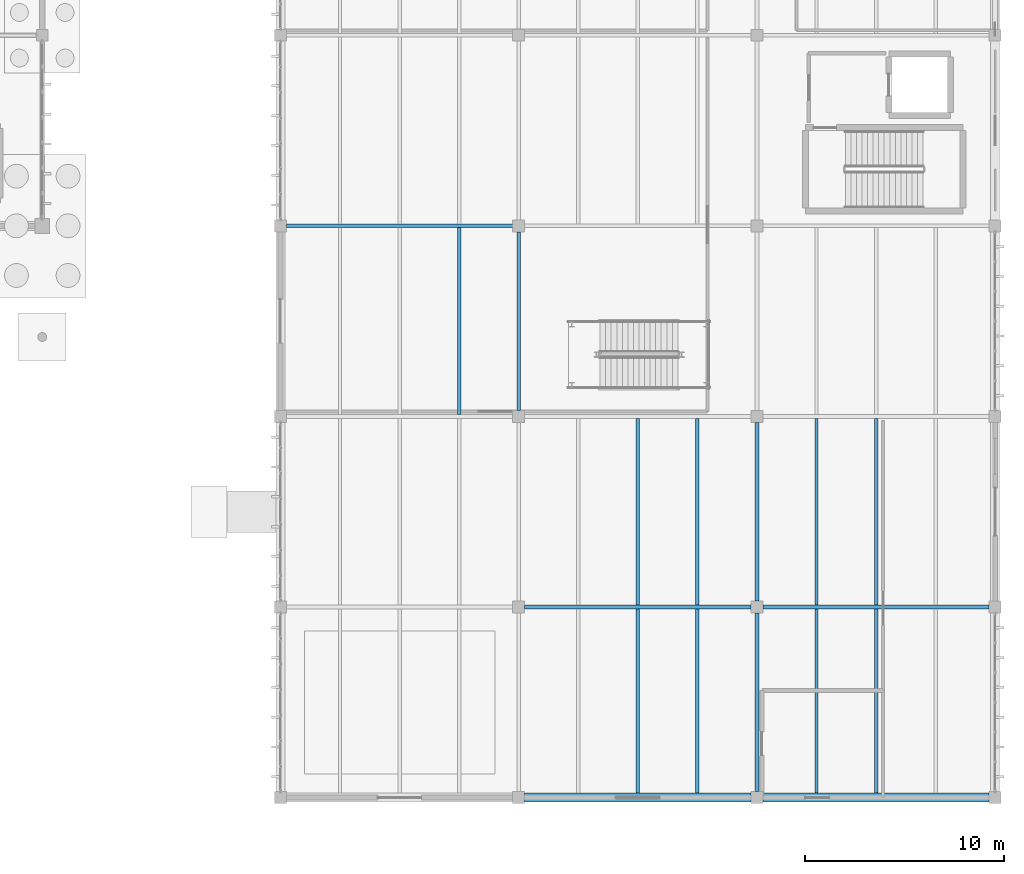
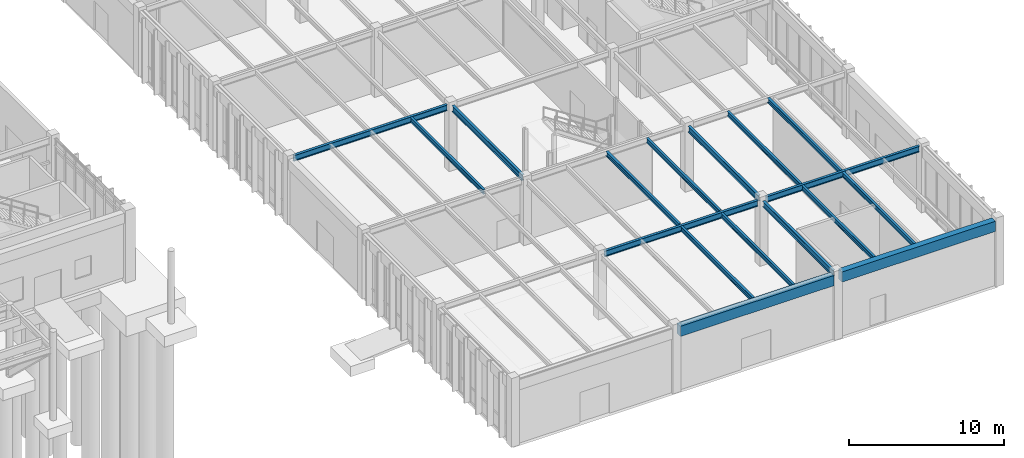
# One storey, part 93 of 188: 17 beams.
"""IFC4 building model written with IfcOpenShell, lengths in metres."""

from ifc_helpers import new_model, si_unit, direction, frame, origin, origin_2d, place, context, subcontext, project, spatial, rectangle, i_section, extrude, material, material_profile, profile_set, type_object, element, save


model = new_model("IFC4")

# Units and contexts
model_context = context("Model", 3, precision=1e-05, world=origin(), true_north=direction((0.0, 1.0)))
body_context = subcontext(model_context, "Body", "Model", "MODEL_VIEW")
ifc_project = project(units=[si_unit("LENGTHUNIT", "METRE"), si_unit("AREAUNIT", "SQUARE_METRE"), si_unit("VOLUMEUNIT", "CUBIC_METRE"), si_unit("PLANEANGLEUNIT", "RADIAN"), si_unit("MASSUNIT", "GRAM", prefix="KILO")], contexts=[model_context])

# Site, building, storey
site_placement = place(None, origin())
site = spatial("IfcSite", under=ifc_project, at=site_placement, CompositionType="ELEMENT")
building_placement = place(site_placement, origin())
building = spatial("IfcBuilding", under=site, at=building_placement, Name="Pandanus Reach Market Hall", CompositionType="ELEMENT")
storey_placement = place(building_placement, origin())
storey = spatial("IfcBuildingStorey", under=building, at=storey_placement, Name="L00", CompositionType="ELEMENT", Elevation=0.0)

# Beams
ifc_material_1 = material(Name="Concrete N40 (40 MPa)", Category="concrete")
ifc_material_profile_1 = material_profile(ifc_material_1, rectangle(XDim=0.449951171875, YDim=0.800048828125, at=origin_2d()), Name="RC450x800", Category="LoadBearing")
ifc_profile_set_1 = profile_set([ifc_material_profile_1], Name="Concrete N40 (40 MPa)")
beam_type_1 = type_object("IfcBeamType", Name="BM-RC450-E", PredefinedType="SPANDREL", material=ifc_profile_set_1)
for number, where, z_axis, x_axis, name in (
    (1, (156.298095703125, 0.0, 4.659912109375), (1.0, 0.0, 0.0), (0.0, 1.0, 0.0), "Framing beam BM-RC450-E L00.156"),
    (2, (168.298095703125, 0.0, 4.72509765625), (1.0, 0.0, 0.0), (0.0, 1.0, 0.0), "Framing beam BM-RC450-E L00.157"),
):
    element("IfcBeam", number, at=place(storey_placement, frame(where, z_axis=z_axis, x_axis=x_axis)), inside=storey, type_object=beam_type_1, Name=name, PredefinedType="SPANDREL", context=body_context, shape_type="SweptSolid", body=[
        extrude(rectangle(XDim=0.449951171875, YDim=0.800048828125, at=origin_2d()), origin(), (0.0, 0.0, 1.0), 11.40380859375),
    ])
ifc_material_2 = material(Name="Steel Grade 350 (350 MPa)", Category="steel")
ifc_material_profile_2 = material_profile(ifc_material_2, i_section(OverallWidth=0.19091796875, OverallDepth=0.4599609375, WebThickness=0.010009765625, FlangeThickness=0.01611328125, at=origin_2d()), Name="460UB82.1", Category="LoadBearing")
ifc_profile_set_2 = profile_set([ifc_material_profile_2], Name="Steel Grade 350 (350 MPa)")
beam_type_2 = type_object("IfcBeamType", Name="BM-UB460H-I", PredefinedType="BEAM", material=ifc_profile_set_2)
for number, where, z_axis, x_axis, name in (
    (3, (156.298095703125, 9.60009765625, 4.82958984375), (1.0, 0.0, 0.0), (0.0, 1.0, 0.0), "Framing beam BM-UB460H-I L00.159"),
    (4, (168.298095703125, 9.60009765625, 4.89453125), (1.0, 0.0, 0.0), (0.0, 1.0, 0.0), "Framing beam BM-UB460H-I L00.160"),
    (5, (144.298095703125, 28.800048828125, 4.89453125), (1.0, 0.0, 0.0), (0.0, 1.0, 0.0), "Framing beam BM-UB460H-I L00.164"),
):
    element("IfcBeam", number, at=place(storey_placement, frame(where, z_axis=z_axis, x_axis=x_axis)), inside=storey, type_object=beam_type_2, Name=name, PredefinedType="BEAM", context=body_context, shape_type="SweptSolid", body=[
        extrude(i_section(OverallWidth=0.19091796875, OverallDepth=0.4599609375, WebThickness=0.010009765625, FlangeThickness=0.01611328125, at=origin_2d()), origin(), (0.0, 0.0, 1.0), 11.40380859375),
    ])
for number, where, z_axis, x_axis, name in (
    (6, (156.0, 19.498046875, 4.89453125), (0.0, 1.0, 0.0), (-1.0, 0.0, 0.0), "Framing beam BM-UB460H-I L00.200"),
    (7, (168.0, 0.298095703125, 4.82958984375), (0.0, 1.0, 0.0), (-1.0, 0.0, 0.0), "Framing beam BM-UB460H-I L00.208"),
):
    element("IfcBeam", number, at=place(storey_placement, frame(where, z_axis=z_axis, x_axis=x_axis)), inside=storey, type_object=beam_type_2, Name=name, PredefinedType="BEAM", context=body_context, shape_type="SweptSolid", body=[
        extrude(i_section(OverallWidth=0.19091796875, OverallDepth=0.4599609375, WebThickness=0.010009765625, FlangeThickness=0.01611328125, at=origin_2d()), origin(), (0.0, 0.0, 1.0), 9.00390625),
    ])
beam_1_placement = place(storey_placement, frame((168.0, 9.89794921875, 4.89453125), z_axis=(0.0, 1.0, 0.0), x_axis=(-1.0, 0.0, 0.0)))
element("IfcBeam", 8, at=beam_1_placement, inside=storey, type_object=beam_type_2, Name="Framing beam BM-UB460H-I L00.209", PredefinedType="BEAM", context=body_context, shape_type="SweptSolid", body=[
    extrude(i_section(OverallWidth=0.19091796875, OverallDepth=0.4599609375, WebThickness=0.010009765625, FlangeThickness=0.01611328125, at=origin_2d()), origin(), (0.0, 0.0, 1.0), 9.004150390625),
])
ifc_material_profile_3 = material_profile(ifc_material_2, i_section(OverallWidth=0.172119140625, OverallDepth=0.35888671875, WebThickness=0.008056640625, FlangeThickness=0.012939453125, at=origin_2d()), Name="360UB56.7", Category="LoadBearing")
ifc_profile_set_3 = profile_set([ifc_material_profile_3], Name="Steel Grade 350 (350 MPa)")
beam_type_3 = type_object("IfcBeamType", Name="JS-UB360H-I", PredefinedType="JOIST", material=ifc_profile_set_3)
beam_2_placement = place(storey_placement, frame((153.0, 19.29345703125, 4.945068359375), z_axis=(0.0, 1.0, 0.0), x_axis=(-1.0, 0.0, 0.0)))
element("IfcBeam", 9, at=beam_2_placement, inside=storey, type_object=beam_type_3, Name="Secondary joist JS-UB360H-I L00.236", PredefinedType="JOIST", context=body_context, shape_type="SweptSolid", body=[
    extrude(i_section(OverallWidth=0.172119140625, OverallDepth=0.35888671875, WebThickness=0.008056640625, FlangeThickness=0.012939453125, at=origin_2d()), origin(), (0.0, 0.0, 1.0), 9.4130859375),
])
for number, where, z_axis, x_axis, name in (
    (10, (162.0, 0.222900390625, 4.880126953125), (0.0, 1.0, 0.0), (-1.0, 0.0, 0.0), "Secondary joist JS-UB360H-I L00.256"),
    (11, (165.0, 0.222900390625, 4.880126953125), (0.0, 1.0, 0.0), (-1.0, 0.0, 0.0), "Secondary joist JS-UB360H-I L00.257"),
):
    element("IfcBeam", number, at=place(storey_placement, frame(where, z_axis=z_axis, x_axis=x_axis)), inside=storey, type_object=beam_type_3, Name=name, PredefinedType="JOIST", context=body_context, shape_type="SweptSolid", body=[
        extrude(i_section(OverallWidth=0.172119140625, OverallDepth=0.35888671875, WebThickness=0.008056640625, FlangeThickness=0.012939453125, at=origin_2d()), origin(), (0.0, 0.0, 1.0), 9.28369140625),
    ])
for number, where, z_axis, x_axis, name in (
    (12, (162.0, 9.693603515625, 4.945068359375), (0.0, 1.0, 0.0), (-1.0, 0.0, 0.0), "Secondary joist JS-UB360H-I L00.259"),
    (13, (165.0, 9.693603515625, 4.945068359375), (0.0, 1.0, 0.0), (-1.0, 0.0, 0.0), "Secondary joist JS-UB360H-I L00.260"),
):
    element("IfcBeam", number, at=place(storey_placement, frame(where, z_axis=z_axis, x_axis=x_axis)), inside=storey, type_object=beam_type_3, Name=name, PredefinedType="JOIST", context=body_context, shape_type="SweptSolid", body=[
        extrude(i_section(OverallWidth=0.172119140625, OverallDepth=0.35888671875, WebThickness=0.008056640625, FlangeThickness=0.012939453125, at=origin_2d()), origin(), (0.0, 0.0, 1.0), 9.412841796875),
    ])
for number, where, z_axis, x_axis, name in (
    (14, (171.0, 0.222900390625, 4.945068359375), (0.0, 1.0, 0.0), (-1.0, 0.0, 0.0), "Secondary joist JS-UB360H-I L00.282"),
    (15, (174.0, 0.222900390625, 4.945068359375), (0.0, 1.0, 0.0), (-1.0, 0.0, 0.0), "Secondary joist JS-UB360H-I L00.283"),
):
    element("IfcBeam", number, at=place(storey_placement, frame(where, z_axis=z_axis, x_axis=x_axis)), inside=storey, type_object=beam_type_3, Name=name, PredefinedType="JOIST", context=body_context, shape_type="SweptSolid", body=[
        extrude(i_section(OverallWidth=0.172119140625, OverallDepth=0.35888671875, WebThickness=0.008056640625, FlangeThickness=0.012939453125, at=origin_2d()), origin(), (0.0, 0.0, 1.0), 9.28369140625),
    ])
for number, where, z_axis, x_axis, name in (
    (16, (171.0, 9.693603515625, 4.945068359375), (0.0, 1.0, 0.0), (-1.0, 0.0, 0.0), "Secondary joist JS-UB360H-I L00.285"),
    (17, (174.0, 9.693603515625, 4.945068359375), (0.0, 1.0, 0.0), (-1.0, 0.0, 0.0), "Secondary joist JS-UB360H-I L00.286"),
):
    element("IfcBeam", number, at=place(storey_placement, frame(where, z_axis=z_axis, x_axis=x_axis)), inside=storey, type_object=beam_type_3, Name=name, PredefinedType="JOIST", context=body_context, shape_type="SweptSolid", body=[
        extrude(i_section(OverallWidth=0.172119140625, OverallDepth=0.35888671875, WebThickness=0.008056640625, FlangeThickness=0.012939453125, at=origin_2d()), origin(), (0.0, 0.0, 1.0), 9.412841796875),
    ])

save(model, "model.ifc")
